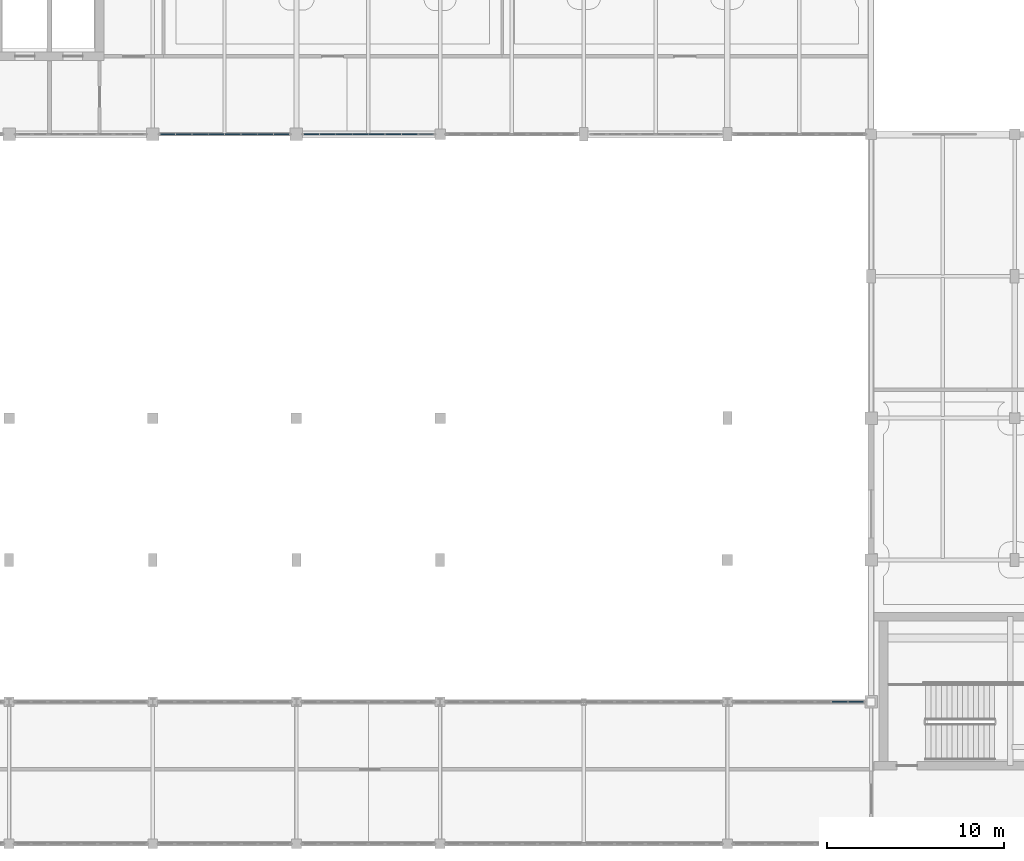
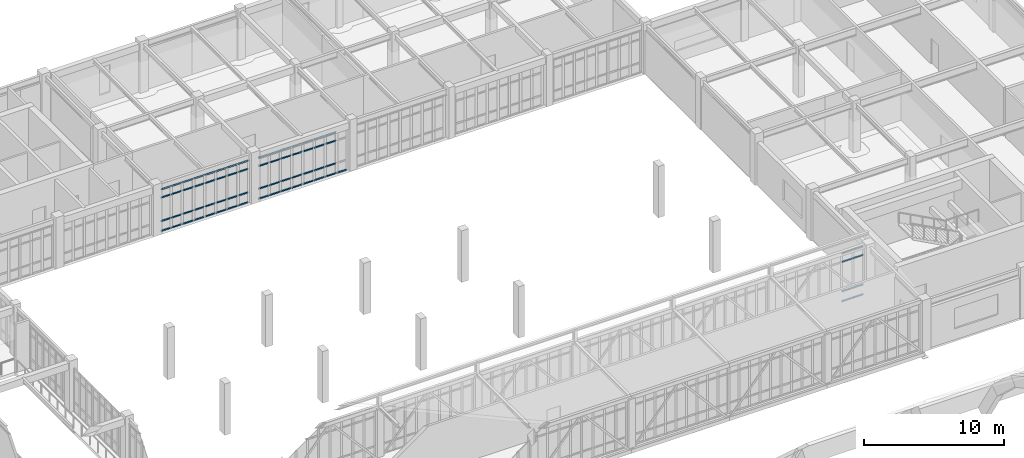
# One storey, part 31 of 67: 69 members, 3 elements without a shape of their own.
"""IFC4 building model written with IfcOpenShell, lengths in metres."""

from ifc_helpers import new_model, si_unit, direction, frame, origin, origin_2d, place, context, subcontext, project, spatial, rectangle, extrude, material, material_profile, profile_set, type_object, element, aggregate, save


model = new_model("IFC4")

# Units and contexts
model_context = context("Model", 3, precision=1e-05, world=origin(), true_north=direction((0.0, 1.0)))
body_context = subcontext(model_context, "Body", "Model", "MODEL_VIEW")
ifc_project = project(units=[si_unit("LENGTHUNIT", "METRE"), si_unit("AREAUNIT", "SQUARE_METRE"), si_unit("VOLUMEUNIT", "CUBIC_METRE"), si_unit("PLANEANGLEUNIT", "RADIAN"), si_unit("MASSUNIT", "GRAM", prefix="KILO")], contexts=[model_context])

# Site, building, storey
site_placement = place(None, origin())
site = spatial("IfcSite", under=ifc_project, at=site_placement, CompositionType="ELEMENT")
building_placement = place(site_placement, origin())
building = spatial("IfcBuilding", under=site, at=building_placement, Name="Tarnveldt Square Police Headquarters", CompositionType="ELEMENT")
storey_placement = place(building_placement, frame((0.0, 0.0, 10.199951171875)))
storey = spatial("IfcBuildingStorey", under=building, at=storey_placement, Name="L02", CompositionType="ELEMENT", Elevation=10.199951171875)

# Curtain wall, members
ifc_material_1 = material(Name="Triple-glazed low-e laminated vision glass", Category="glass")
curtain_wall_type_1 = type_object("IfcCurtainWallType", Name="CW-LB-737x370", PredefinedType="USERDEFINED", material=ifc_material_1)
curtain_wall_1_placement = place(storey_placement, origin())
curtain_wall_1 = element("IfcCurtainWall", 1, at=curtain_wall_1_placement, inside=storey, type_object=curtain_wall_type_1, Name="L02 Curtain Wall CW-L02-114", ObjectType="GLAZED CURTAIN WALL", PredefinedType="USERDEFINED")
ifc_material_2 = material(Name="Thermally broken anodised aluminium 6063-T6", Category="aluminium")
ifc_material_profile = material_profile(ifc_material_2, rectangle(XDim=0.06494140625, YDim=0.1201171875, at=origin_2d()), Name="CW-T65x120")
ifc_profile_set = profile_set([ifc_material_profile], Name="Thermally broken anodised aluminium 6063-T6")
member_type = type_object("IfcMemberType", Name="CWT-65x120", PredefinedType="USERDEFINED", material=ifc_profile_set)
member_1_placement = place(storey_placement, frame((65.239990234375, 96.0, 0.032470703125), z_axis=(1.0, 0.0, 0.0), x_axis=(0.0, 1.0, 0.0)))
member_1 = element("IfcMember", 2, at=member_1_placement, type_object=member_type, Name="CW-LB65 transom 1.1", ObjectType="TRANSOM", PredefinedType="USERDEFINED", context=body_context, shape_type="SweptSolid", body=[
    extrude(rectangle(XDim=0.06494140625, YDim=0.1201171875, at=origin_2d()), origin(), (0.0, 0.0, 1.0), 0.808837890625),
])
member_2_placement = place(storey_placement, frame((65.239990234375, 96.0, 0.900146484375), z_axis=(1.0, 0.0, 0.0), x_axis=(0.0, 1.0, 0.0)))
member_2 = element("IfcMember", 3, at=member_2_placement, type_object=member_type, Name="CW-LB65 transom 1.2", ObjectType="TRANSOM", PredefinedType="USERDEFINED", context=body_context, shape_type="SweptSolid", body=[
    extrude(rectangle(XDim=0.06494140625, YDim=0.1201171875, at=origin_2d()), origin(), (0.0, 0.0, 1.0), 0.808837890625),
])
member_3_placement = place(storey_placement, frame((65.239990234375, 96.0, 2.948974609375), z_axis=(1.0, 0.0, 0.0), x_axis=(0.0, 1.0, 0.0)))
member_3 = element("IfcMember", 4, at=member_3_placement, type_object=member_type, Name="CW-LB65 transom 1.3", ObjectType="TRANSOM", PredefinedType="USERDEFINED", context=body_context, shape_type="SweptSolid", body=[
    extrude(rectangle(XDim=0.06494140625, YDim=0.1201171875, at=origin_2d()), origin(), (0.0, 0.0, 1.0), 0.808837890625),
])
member_4_placement = place(storey_placement, frame((65.239990234375, 96.0, 3.66650390625), z_axis=(1.0, 0.0, 0.0), x_axis=(0.0, 1.0, 0.0)))
member_4 = element("IfcMember", 5, at=member_4_placement, type_object=member_type, Name="CW-LB65 transom 1.4", ObjectType="TRANSOM", PredefinedType="USERDEFINED", context=body_context, shape_type="SweptSolid", body=[
    extrude(rectangle(XDim=0.06494140625, YDim=0.1201171875, at=origin_2d()), origin(), (0.0, 0.0, 1.0), 0.808837890625),
])
member_5_placement = place(storey_placement, frame((66.123779296875, 96.0, 0.032470703125), z_axis=(1.0, 0.0, 0.0), x_axis=(0.0, 1.0, 0.0)))
member_5 = element("IfcMember", 6, at=member_5_placement, type_object=member_type, Name="CW-LB65 transom 2.1", ObjectType="TRANSOM", PredefinedType="USERDEFINED", context=body_context, shape_type="SweptSolid", body=[
    extrude(rectangle(XDim=0.06494140625, YDim=0.1201171875, at=origin_2d()), origin(), (0.0, 0.0, 1.0), 0.84619140625),
])
member_6_placement = place(storey_placement, frame((66.123779296875, 96.0, 0.900146484375), z_axis=(1.0, 0.0, 0.0), x_axis=(0.0, 1.0, 0.0)))
member_6 = element("IfcMember", 7, at=member_6_placement, type_object=member_type, Name="CW-LB65 transom 2.2", ObjectType="TRANSOM", PredefinedType="USERDEFINED", context=body_context, shape_type="SweptSolid", body=[
    extrude(rectangle(XDim=0.06494140625, YDim=0.1201171875, at=origin_2d()), origin(), (0.0, 0.0, 1.0), 0.84619140625),
])
member_7_placement = place(storey_placement, frame((66.123779296875, 96.0, 2.948974609375), z_axis=(1.0, 0.0, 0.0), x_axis=(0.0, 1.0, 0.0)))
member_7 = element("IfcMember", 8, at=member_7_placement, type_object=member_type, Name="CW-LB65 transom 2.3", ObjectType="TRANSOM", PredefinedType="USERDEFINED", context=body_context, shape_type="SweptSolid", body=[
    extrude(rectangle(XDim=0.06494140625, YDim=0.1201171875, at=origin_2d()), origin(), (0.0, 0.0, 1.0), 0.84619140625),
])
member_8_placement = place(storey_placement, frame((66.123779296875, 96.0, 3.66650390625), z_axis=(1.0, 0.0, 0.0), x_axis=(0.0, 1.0, 0.0)))
member_8 = element("IfcMember", 9, at=member_8_placement, type_object=member_type, Name="CW-LB65 transom 2.4", ObjectType="TRANSOM", PredefinedType="USERDEFINED", context=body_context, shape_type="SweptSolid", body=[
    extrude(rectangle(XDim=0.06494140625, YDim=0.1201171875, at=origin_2d()), origin(), (0.0, 0.0, 1.0), 0.84619140625),
])
member_9_placement = place(storey_placement, frame((67.044921875, 96.0, 0.032470703125), z_axis=(1.0, 0.0, 0.0), x_axis=(0.0, 1.0, 0.0)))
member_9 = element("IfcMember", 10, at=member_9_placement, type_object=member_type, Name="CW-LB65 transom 3.1", ObjectType="TRANSOM", PredefinedType="USERDEFINED", context=body_context, shape_type="SweptSolid", body=[
    extrude(rectangle(XDim=0.06494140625, YDim=0.1201171875, at=origin_2d()), origin(), (0.0, 0.0, 1.0), 0.846435546875),
])
member_10_placement = place(storey_placement, frame((67.044921875, 96.0, 0.900146484375), z_axis=(1.0, 0.0, 0.0), x_axis=(0.0, 1.0, 0.0)))
member_10 = element("IfcMember", 11, at=member_10_placement, type_object=member_type, Name="CW-LB65 transom 3.2", ObjectType="TRANSOM", PredefinedType="USERDEFINED", context=body_context, shape_type="SweptSolid", body=[
    extrude(rectangle(XDim=0.06494140625, YDim=0.1201171875, at=origin_2d()), origin(), (0.0, 0.0, 1.0), 0.846435546875),
])
member_11_placement = place(storey_placement, frame((67.044921875, 96.0, 2.948974609375), z_axis=(1.0, 0.0, 0.0), x_axis=(0.0, 1.0, 0.0)))
member_11 = element("IfcMember", 12, at=member_11_placement, type_object=member_type, Name="CW-LB65 transom 3.3", ObjectType="TRANSOM", PredefinedType="USERDEFINED", context=body_context, shape_type="SweptSolid", body=[
    extrude(rectangle(XDim=0.06494140625, YDim=0.1201171875, at=origin_2d()), origin(), (0.0, 0.0, 1.0), 0.846435546875),
])
member_12_placement = place(storey_placement, frame((67.044921875, 96.0, 3.66650390625), z_axis=(1.0, 0.0, 0.0), x_axis=(0.0, 1.0, 0.0)))
member_12 = element("IfcMember", 13, at=member_12_placement, type_object=member_type, Name="CW-LB65 transom 3.4", ObjectType="TRANSOM", PredefinedType="USERDEFINED", context=body_context, shape_type="SweptSolid", body=[
    extrude(rectangle(XDim=0.06494140625, YDim=0.1201171875, at=origin_2d()), origin(), (0.0, 0.0, 1.0), 0.846435546875),
])
member_13_placement = place(storey_placement, frame((67.96630859375, 96.0, 0.032470703125), z_axis=(1.0, 0.0, 0.0), x_axis=(0.0, 1.0, 0.0)))
member_13 = element("IfcMember", 14, at=member_13_placement, type_object=member_type, Name="CW-LB65 transom 4.1", ObjectType="TRANSOM", PredefinedType="USERDEFINED", context=body_context, shape_type="SweptSolid", body=[
    extrude(rectangle(XDim=0.06494140625, YDim=0.1201171875, at=origin_2d()), origin(), (0.0, 0.0, 1.0), 0.84619140625),
])
member_14_placement = place(storey_placement, frame((67.96630859375, 96.0, 0.900146484375), z_axis=(1.0, 0.0, 0.0), x_axis=(0.0, 1.0, 0.0)))
member_14 = element("IfcMember", 15, at=member_14_placement, type_object=member_type, Name="CW-LB65 transom 4.2", ObjectType="TRANSOM", PredefinedType="USERDEFINED", context=body_context, shape_type="SweptSolid", body=[
    extrude(rectangle(XDim=0.06494140625, YDim=0.1201171875, at=origin_2d()), origin(), (0.0, 0.0, 1.0), 0.84619140625),
])
member_15_placement = place(storey_placement, frame((67.96630859375, 96.0, 2.948974609375), z_axis=(1.0, 0.0, 0.0), x_axis=(0.0, 1.0, 0.0)))
member_15 = element("IfcMember", 16, at=member_15_placement, type_object=member_type, Name="CW-LB65 transom 4.3", ObjectType="TRANSOM", PredefinedType="USERDEFINED", context=body_context, shape_type="SweptSolid", body=[
    extrude(rectangle(XDim=0.06494140625, YDim=0.1201171875, at=origin_2d()), origin(), (0.0, 0.0, 1.0), 0.84619140625),
])
member_16_placement = place(storey_placement, frame((67.96630859375, 96.0, 3.66650390625), z_axis=(1.0, 0.0, 0.0), x_axis=(0.0, 1.0, 0.0)))
member_16 = element("IfcMember", 17, at=member_16_placement, type_object=member_type, Name="CW-LB65 transom 4.4", ObjectType="TRANSOM", PredefinedType="USERDEFINED", context=body_context, shape_type="SweptSolid", body=[
    extrude(rectangle(XDim=0.06494140625, YDim=0.1201171875, at=origin_2d()), origin(), (0.0, 0.0, 1.0), 0.84619140625),
])
member_17_placement = place(storey_placement, frame((68.887451171875, 96.0, 0.032470703125), z_axis=(1.0, 0.0, 0.0), x_axis=(0.0, 1.0, 0.0)))
member_17 = element("IfcMember", 18, at=member_17_placement, type_object=member_type, Name="CW-LB65 transom 5.1", ObjectType="TRANSOM", PredefinedType="USERDEFINED", context=body_context, shape_type="SweptSolid", body=[
    extrude(rectangle(XDim=0.06494140625, YDim=0.1201171875, at=origin_2d()), origin(), (0.0, 0.0, 1.0), 0.84619140625),
])
member_18_placement = place(storey_placement, frame((68.887451171875, 96.0, 0.900146484375), z_axis=(1.0, 0.0, 0.0), x_axis=(0.0, 1.0, 0.0)))
member_18 = element("IfcMember", 19, at=member_18_placement, type_object=member_type, Name="CW-LB65 transom 5.2", ObjectType="TRANSOM", PredefinedType="USERDEFINED", context=body_context, shape_type="SweptSolid", body=[
    extrude(rectangle(XDim=0.06494140625, YDim=0.1201171875, at=origin_2d()), origin(), (0.0, 0.0, 1.0), 0.84619140625),
])
member_19_placement = place(storey_placement, frame((68.887451171875, 96.0, 2.948974609375), z_axis=(1.0, 0.0, 0.0), x_axis=(0.0, 1.0, 0.0)))
member_19 = element("IfcMember", 20, at=member_19_placement, type_object=member_type, Name="CW-LB65 transom 5.3", ObjectType="TRANSOM", PredefinedType="USERDEFINED", context=body_context, shape_type="SweptSolid", body=[
    extrude(rectangle(XDim=0.06494140625, YDim=0.1201171875, at=origin_2d()), origin(), (0.0, 0.0, 1.0), 0.84619140625),
])
member_20_placement = place(storey_placement, frame((68.887451171875, 96.0, 3.66650390625), z_axis=(1.0, 0.0, 0.0), x_axis=(0.0, 1.0, 0.0)))
member_20 = element("IfcMember", 21, at=member_20_placement, type_object=member_type, Name="CW-LB65 transom 5.4", ObjectType="TRANSOM", PredefinedType="USERDEFINED", context=body_context, shape_type="SweptSolid", body=[
    extrude(rectangle(XDim=0.06494140625, YDim=0.1201171875, at=origin_2d()), origin(), (0.0, 0.0, 1.0), 0.84619140625),
])
member_21_placement = place(storey_placement, frame((69.808837890625, 96.0, 0.032470703125), z_axis=(1.0, 0.0, 0.0), x_axis=(0.0, 1.0, 0.0)))
member_21 = element("IfcMember", 22, at=member_21_placement, type_object=member_type, Name="CW-LB65 transom 6.1", ObjectType="TRANSOM", PredefinedType="USERDEFINED", context=body_context, shape_type="SweptSolid", body=[
    extrude(rectangle(XDim=0.06494140625, YDim=0.1201171875, at=origin_2d()), origin(), (0.0, 0.0, 1.0), 0.84619140625),
])
member_22_placement = place(storey_placement, frame((69.808837890625, 96.0, 0.900146484375), z_axis=(1.0, 0.0, 0.0), x_axis=(0.0, 1.0, 0.0)))
member_22 = element("IfcMember", 23, at=member_22_placement, type_object=member_type, Name="CW-LB65 transom 6.2", ObjectType="TRANSOM", PredefinedType="USERDEFINED", context=body_context, shape_type="SweptSolid", body=[
    extrude(rectangle(XDim=0.06494140625, YDim=0.1201171875, at=origin_2d()), origin(), (0.0, 0.0, 1.0), 0.84619140625),
])
member_23_placement = place(storey_placement, frame((69.808837890625, 96.0, 2.948974609375), z_axis=(1.0, 0.0, 0.0), x_axis=(0.0, 1.0, 0.0)))
member_23 = element("IfcMember", 24, at=member_23_placement, type_object=member_type, Name="CW-LB65 transom 6.3", ObjectType="TRANSOM", PredefinedType="USERDEFINED", context=body_context, shape_type="SweptSolid", body=[
    extrude(rectangle(XDim=0.06494140625, YDim=0.1201171875, at=origin_2d()), origin(), (0.0, 0.0, 1.0), 0.84619140625),
])
member_24_placement = place(storey_placement, frame((69.808837890625, 96.0, 3.66650390625), z_axis=(1.0, 0.0, 0.0), x_axis=(0.0, 1.0, 0.0)))
member_24 = element("IfcMember", 25, at=member_24_placement, type_object=member_type, Name="CW-LB65 transom 6.4", ObjectType="TRANSOM", PredefinedType="USERDEFINED", context=body_context, shape_type="SweptSolid", body=[
    extrude(rectangle(XDim=0.06494140625, YDim=0.1201171875, at=origin_2d()), origin(), (0.0, 0.0, 1.0), 0.84619140625),
])
member_25_placement = place(storey_placement, frame((70.72998046875, 96.0, 0.032470703125), z_axis=(1.0, 0.0, 0.0), x_axis=(0.0, 1.0, 0.0)))
member_25 = element("IfcMember", 26, at=member_25_placement, type_object=member_type, Name="CW-LB65 transom 7.1", ObjectType="TRANSOM", PredefinedType="USERDEFINED", context=body_context, shape_type="SweptSolid", body=[
    extrude(rectangle(XDim=0.06494140625, YDim=0.1201171875, at=origin_2d()), origin(), (0.0, 0.0, 1.0), 0.84619140625),
])
member_26_placement = place(storey_placement, frame((70.72998046875, 96.0, 0.900146484375), z_axis=(1.0, 0.0, 0.0), x_axis=(0.0, 1.0, 0.0)))
member_26 = element("IfcMember", 27, at=member_26_placement, type_object=member_type, Name="CW-LB65 transom 7.2", ObjectType="TRANSOM", PredefinedType="USERDEFINED", context=body_context, shape_type="SweptSolid", body=[
    extrude(rectangle(XDim=0.06494140625, YDim=0.1201171875, at=origin_2d()), origin(), (0.0, 0.0, 1.0), 0.84619140625),
])
member_27_placement = place(storey_placement, frame((70.72998046875, 96.0, 2.948974609375), z_axis=(1.0, 0.0, 0.0), x_axis=(0.0, 1.0, 0.0)))
member_27 = element("IfcMember", 28, at=member_27_placement, type_object=member_type, Name="CW-LB65 transom 7.3", ObjectType="TRANSOM", PredefinedType="USERDEFINED", context=body_context, shape_type="SweptSolid", body=[
    extrude(rectangle(XDim=0.06494140625, YDim=0.1201171875, at=origin_2d()), origin(), (0.0, 0.0, 1.0), 0.84619140625),
])
member_28_placement = place(storey_placement, frame((70.72998046875, 96.0, 3.66650390625), z_axis=(1.0, 0.0, 0.0), x_axis=(0.0, 1.0, 0.0)))
member_28 = element("IfcMember", 29, at=member_28_placement, type_object=member_type, Name="CW-LB65 transom 7.4", ObjectType="TRANSOM", PredefinedType="USERDEFINED", context=body_context, shape_type="SweptSolid", body=[
    extrude(rectangle(XDim=0.06494140625, YDim=0.1201171875, at=origin_2d()), origin(), (0.0, 0.0, 1.0), 0.84619140625),
])
member_29_placement = place(storey_placement, frame((71.6513671875, 96.0, 0.032470703125), z_axis=(1.0, 0.0, 0.0), x_axis=(0.0, 1.0, 0.0)))
member_29 = element("IfcMember", 30, at=member_29_placement, type_object=member_type, Name="CW-LB65 transom 8.1", ObjectType="TRANSOM", PredefinedType="USERDEFINED", context=body_context, shape_type="SweptSolid", body=[
    extrude(rectangle(XDim=0.06494140625, YDim=0.1201171875, at=origin_2d()), origin(), (0.0, 0.0, 1.0), 0.80859375),
])
member_30_placement = place(storey_placement, frame((71.6513671875, 96.0, 0.900146484375), z_axis=(1.0, 0.0, 0.0), x_axis=(0.0, 1.0, 0.0)))
member_30 = element("IfcMember", 31, at=member_30_placement, type_object=member_type, Name="CW-LB65 transom 8.2", ObjectType="TRANSOM", PredefinedType="USERDEFINED", context=body_context, shape_type="SweptSolid", body=[
    extrude(rectangle(XDim=0.06494140625, YDim=0.1201171875, at=origin_2d()), origin(), (0.0, 0.0, 1.0), 0.80859375),
])
member_31_placement = place(storey_placement, frame((71.6513671875, 96.0, 2.948974609375), z_axis=(1.0, 0.0, 0.0), x_axis=(0.0, 1.0, 0.0)))
member_31 = element("IfcMember", 32, at=member_31_placement, type_object=member_type, Name="CW-LB65 transom 8.3", ObjectType="TRANSOM", PredefinedType="USERDEFINED", context=body_context, shape_type="SweptSolid", body=[
    extrude(rectangle(XDim=0.06494140625, YDim=0.1201171875, at=origin_2d()), origin(), (0.0, 0.0, 1.0), 0.80859375),
])
member_32_placement = place(storey_placement, frame((71.6513671875, 96.0, 3.66650390625), z_axis=(1.0, 0.0, 0.0), x_axis=(0.0, 1.0, 0.0)))
member_32 = element("IfcMember", 33, at=member_32_placement, type_object=member_type, Name="CW-LB65 transom 8.4", ObjectType="TRANSOM", PredefinedType="USERDEFINED", context=body_context, shape_type="SweptSolid", body=[
    extrude(rectangle(XDim=0.06494140625, YDim=0.1201171875, at=origin_2d()), origin(), (0.0, 0.0, 1.0), 0.80859375),
])
aggregate(curtain_wall_1, [member_1, member_2, member_3, member_4, member_5, member_6, member_7, member_8, member_9, member_10, member_11, member_12, member_13, member_14, member_15, member_16, member_17, member_18, member_19, member_20, member_21, member_22, member_23, member_24, member_25, member_26, member_27, member_28, member_29, member_30, member_31, member_32])

curtain_wall_type_2 = type_object("IfcCurtainWallType", Name="CW-LB-742x363", PredefinedType="USERDEFINED", material=ifc_material_1)
curtain_wall_2_placement = place(storey_placement, origin())
curtain_wall_2 = element("IfcCurtainWall", 34, at=curtain_wall_2_placement, inside=storey, type_object=curtain_wall_type_2, Name="L02 Curtain Wall CW-L02-115", ObjectType="GLAZED CURTAIN WALL", PredefinedType="USERDEFINED")
member_33_placement = place(storey_placement, frame((73.340087890625, 96.0, 0.032470703125), z_axis=(1.0, 0.0, 0.0), x_axis=(0.0, 1.0, 0.0)))
member_33 = element("IfcMember", 35, at=member_33_placement, type_object=member_type, Name="CW-LB67 transom 1.1", ObjectType="TRANSOM", PredefinedType="USERDEFINED", context=body_context, shape_type="SweptSolid", body=[
    extrude(rectangle(XDim=0.06494140625, YDim=0.1201171875, at=origin_2d()), origin(), (0.0, 0.0, 1.0), 0.81494140625),
])
member_34_placement = place(storey_placement, frame((73.340087890625, 96.0, 0.900146484375), z_axis=(1.0, 0.0, 0.0), x_axis=(0.0, 1.0, 0.0)))
member_34 = element("IfcMember", 36, at=member_34_placement, type_object=member_type, Name="CW-LB67 transom 1.2", ObjectType="TRANSOM", PredefinedType="USERDEFINED", context=body_context, shape_type="SweptSolid", body=[
    extrude(rectangle(XDim=0.06494140625, YDim=0.1201171875, at=origin_2d()), origin(), (0.0, 0.0, 1.0), 0.81494140625),
])
member_35_placement = place(storey_placement, frame((73.340087890625, 96.0, 2.882080078125), z_axis=(1.0, 0.0, 0.0), x_axis=(0.0, 1.0, 0.0)))
member_35 = element("IfcMember", 37, at=member_35_placement, type_object=member_type, Name="CW-LB67 transom 1.3", ObjectType="TRANSOM", PredefinedType="USERDEFINED", context=body_context, shape_type="SweptSolid", body=[
    extrude(rectangle(XDim=0.06494140625, YDim=0.1201171875, at=origin_2d()), origin(), (0.0, 0.0, 1.0), 0.81494140625),
])
member_36_placement = place(storey_placement, frame((73.340087890625, 96.0, 3.599609375), z_axis=(1.0, 0.0, 0.0), x_axis=(0.0, 1.0, 0.0)))
member_36 = element("IfcMember", 38, at=member_36_placement, type_object=member_type, Name="CW-LB67 transom 1.4", ObjectType="TRANSOM", PredefinedType="USERDEFINED", context=body_context, shape_type="SweptSolid", body=[
    extrude(rectangle(XDim=0.06494140625, YDim=0.1201171875, at=origin_2d()), origin(), (0.0, 0.0, 1.0), 0.81494140625),
])
member_37_placement = place(storey_placement, frame((74.22998046875, 96.0, 0.032470703125), z_axis=(1.0, 0.0, 0.0), x_axis=(0.0, 1.0, 0.0)))
member_37 = element("IfcMember", 39, at=member_37_placement, type_object=member_type, Name="CW-LB67 transom 2.1", ObjectType="TRANSOM", PredefinedType="USERDEFINED", context=body_context, shape_type="SweptSolid", body=[
    extrude(rectangle(XDim=0.06494140625, YDim=0.1201171875, at=origin_2d()), origin(), (0.0, 0.0, 1.0), 0.8525390625),
])
member_38_placement = place(storey_placement, frame((74.22998046875, 96.0, 0.900146484375), z_axis=(1.0, 0.0, 0.0), x_axis=(0.0, 1.0, 0.0)))
member_38 = element("IfcMember", 40, at=member_38_placement, type_object=member_type, Name="CW-LB67 transom 2.2", ObjectType="TRANSOM", PredefinedType="USERDEFINED", context=body_context, shape_type="SweptSolid", body=[
    extrude(rectangle(XDim=0.06494140625, YDim=0.1201171875, at=origin_2d()), origin(), (0.0, 0.0, 1.0), 0.8525390625),
])
member_39_placement = place(storey_placement, frame((74.22998046875, 96.0, 2.882080078125), z_axis=(1.0, 0.0, 0.0), x_axis=(0.0, 1.0, 0.0)))
member_39 = element("IfcMember", 41, at=member_39_placement, type_object=member_type, Name="CW-LB67 transom 2.3", ObjectType="TRANSOM", PredefinedType="USERDEFINED", context=body_context, shape_type="SweptSolid", body=[
    extrude(rectangle(XDim=0.06494140625, YDim=0.1201171875, at=origin_2d()), origin(), (0.0, 0.0, 1.0), 0.8525390625),
])
member_40_placement = place(storey_placement, frame((74.22998046875, 96.0, 3.599609375), z_axis=(1.0, 0.0, 0.0), x_axis=(0.0, 1.0, 0.0)))
member_40 = element("IfcMember", 42, at=member_40_placement, type_object=member_type, Name="CW-LB67 transom 2.4", ObjectType="TRANSOM", PredefinedType="USERDEFINED", context=body_context, shape_type="SweptSolid", body=[
    extrude(rectangle(XDim=0.06494140625, YDim=0.1201171875, at=origin_2d()), origin(), (0.0, 0.0, 1.0), 0.8525390625),
])
member_41_placement = place(storey_placement, frame((75.157470703125, 96.0, 0.032470703125), z_axis=(1.0, 0.0, 0.0), x_axis=(0.0, 1.0, 0.0)))
member_41 = element("IfcMember", 43, at=member_41_placement, type_object=member_type, Name="CW-LB67 transom 3.1", ObjectType="TRANSOM", PredefinedType="USERDEFINED", context=body_context, shape_type="SweptSolid", body=[
    extrude(rectangle(XDim=0.06494140625, YDim=0.1201171875, at=origin_2d()), origin(), (0.0, 0.0, 1.0), 0.8525390625),
])
member_42_placement = place(storey_placement, frame((75.157470703125, 96.0, 0.900146484375), z_axis=(1.0, 0.0, 0.0), x_axis=(0.0, 1.0, 0.0)))
member_42 = element("IfcMember", 44, at=member_42_placement, type_object=member_type, Name="CW-LB67 transom 3.2", ObjectType="TRANSOM", PredefinedType="USERDEFINED", context=body_context, shape_type="SweptSolid", body=[
    extrude(rectangle(XDim=0.06494140625, YDim=0.1201171875, at=origin_2d()), origin(), (0.0, 0.0, 1.0), 0.8525390625),
])
member_43_placement = place(storey_placement, frame((75.157470703125, 96.0, 2.882080078125), z_axis=(1.0, 0.0, 0.0), x_axis=(0.0, 1.0, 0.0)))
member_43 = element("IfcMember", 45, at=member_43_placement, type_object=member_type, Name="CW-LB67 transom 3.3", ObjectType="TRANSOM", PredefinedType="USERDEFINED", context=body_context, shape_type="SweptSolid", body=[
    extrude(rectangle(XDim=0.06494140625, YDim=0.1201171875, at=origin_2d()), origin(), (0.0, 0.0, 1.0), 0.8525390625),
])
member_44_placement = place(storey_placement, frame((75.157470703125, 96.0, 3.599609375), z_axis=(1.0, 0.0, 0.0), x_axis=(0.0, 1.0, 0.0)))
member_44 = element("IfcMember", 46, at=member_44_placement, type_object=member_type, Name="CW-LB67 transom 3.4", ObjectType="TRANSOM", PredefinedType="USERDEFINED", context=body_context, shape_type="SweptSolid", body=[
    extrude(rectangle(XDim=0.06494140625, YDim=0.1201171875, at=origin_2d()), origin(), (0.0, 0.0, 1.0), 0.8525390625),
])
member_45_placement = place(storey_placement, frame((76.0849609375, 96.0, 0.032470703125), z_axis=(1.0, 0.0, 0.0), x_axis=(0.0, 1.0, 0.0)))
member_45 = element("IfcMember", 47, at=member_45_placement, type_object=member_type, Name="CW-LB67 transom 4.1", ObjectType="TRANSOM", PredefinedType="USERDEFINED", context=body_context, shape_type="SweptSolid", body=[
    extrude(rectangle(XDim=0.06494140625, YDim=0.1201171875, at=origin_2d()), origin(), (0.0, 0.0, 1.0), 0.8525390625),
])
member_46_placement = place(storey_placement, frame((76.0849609375, 96.0, 0.900146484375), z_axis=(1.0, 0.0, 0.0), x_axis=(0.0, 1.0, 0.0)))
member_46 = element("IfcMember", 48, at=member_46_placement, type_object=member_type, Name="CW-LB67 transom 4.2", ObjectType="TRANSOM", PredefinedType="USERDEFINED", context=body_context, shape_type="SweptSolid", body=[
    extrude(rectangle(XDim=0.06494140625, YDim=0.1201171875, at=origin_2d()), origin(), (0.0, 0.0, 1.0), 0.8525390625),
])
member_47_placement = place(storey_placement, frame((76.0849609375, 96.0, 2.882080078125), z_axis=(1.0, 0.0, 0.0), x_axis=(0.0, 1.0, 0.0)))
member_47 = element("IfcMember", 49, at=member_47_placement, type_object=member_type, Name="CW-LB67 transom 4.3", ObjectType="TRANSOM", PredefinedType="USERDEFINED", context=body_context, shape_type="SweptSolid", body=[
    extrude(rectangle(XDim=0.06494140625, YDim=0.1201171875, at=origin_2d()), origin(), (0.0, 0.0, 1.0), 0.8525390625),
])
member_48_placement = place(storey_placement, frame((76.0849609375, 96.0, 3.599609375), z_axis=(1.0, 0.0, 0.0), x_axis=(0.0, 1.0, 0.0)))
member_48 = element("IfcMember", 50, at=member_48_placement, type_object=member_type, Name="CW-LB67 transom 4.4", ObjectType="TRANSOM", PredefinedType="USERDEFINED", context=body_context, shape_type="SweptSolid", body=[
    extrude(rectangle(XDim=0.06494140625, YDim=0.1201171875, at=origin_2d()), origin(), (0.0, 0.0, 1.0), 0.8525390625),
])
member_49_placement = place(storey_placement, frame((77.012451171875, 96.0, 0.032470703125), z_axis=(1.0, 0.0, 0.0), x_axis=(0.0, 1.0, 0.0)))
member_49 = element("IfcMember", 51, at=member_49_placement, type_object=member_type, Name="CW-LB67 transom 5.1", ObjectType="TRANSOM", PredefinedType="USERDEFINED", context=body_context, shape_type="SweptSolid", body=[
    extrude(rectangle(XDim=0.06494140625, YDim=0.1201171875, at=origin_2d()), origin(), (0.0, 0.0, 1.0), 0.8525390625),
])
member_50_placement = place(storey_placement, frame((77.012451171875, 96.0, 0.900146484375), z_axis=(1.0, 0.0, 0.0), x_axis=(0.0, 1.0, 0.0)))
member_50 = element("IfcMember", 52, at=member_50_placement, type_object=member_type, Name="CW-LB67 transom 5.2", ObjectType="TRANSOM", PredefinedType="USERDEFINED", context=body_context, shape_type="SweptSolid", body=[
    extrude(rectangle(XDim=0.06494140625, YDim=0.1201171875, at=origin_2d()), origin(), (0.0, 0.0, 1.0), 0.8525390625),
])
member_51_placement = place(storey_placement, frame((77.012451171875, 96.0, 2.882080078125), z_axis=(1.0, 0.0, 0.0), x_axis=(0.0, 1.0, 0.0)))
member_51 = element("IfcMember", 53, at=member_51_placement, type_object=member_type, Name="CW-LB67 transom 5.3", ObjectType="TRANSOM", PredefinedType="USERDEFINED", context=body_context, shape_type="SweptSolid", body=[
    extrude(rectangle(XDim=0.06494140625, YDim=0.1201171875, at=origin_2d()), origin(), (0.0, 0.0, 1.0), 0.8525390625),
])
member_52_placement = place(storey_placement, frame((77.012451171875, 96.0, 3.599609375), z_axis=(1.0, 0.0, 0.0), x_axis=(0.0, 1.0, 0.0)))
member_52 = element("IfcMember", 54, at=member_52_placement, type_object=member_type, Name="CW-LB67 transom 5.4", ObjectType="TRANSOM", PredefinedType="USERDEFINED", context=body_context, shape_type="SweptSolid", body=[
    extrude(rectangle(XDim=0.06494140625, YDim=0.1201171875, at=origin_2d()), origin(), (0.0, 0.0, 1.0), 0.8525390625),
])
member_53_placement = place(storey_placement, frame((77.93994140625, 96.0, 0.032470703125), z_axis=(1.0, 0.0, 0.0), x_axis=(0.0, 1.0, 0.0)))
member_53 = element("IfcMember", 55, at=member_53_placement, type_object=member_type, Name="CW-LB67 transom 6.1", ObjectType="TRANSOM", PredefinedType="USERDEFINED", context=body_context, shape_type="SweptSolid", body=[
    extrude(rectangle(XDim=0.06494140625, YDim=0.1201171875, at=origin_2d()), origin(), (0.0, 0.0, 1.0), 0.8525390625),
])
member_54_placement = place(storey_placement, frame((77.93994140625, 96.0, 0.900146484375), z_axis=(1.0, 0.0, 0.0), x_axis=(0.0, 1.0, 0.0)))
member_54 = element("IfcMember", 56, at=member_54_placement, type_object=member_type, Name="CW-LB67 transom 6.2", ObjectType="TRANSOM", PredefinedType="USERDEFINED", context=body_context, shape_type="SweptSolid", body=[
    extrude(rectangle(XDim=0.06494140625, YDim=0.1201171875, at=origin_2d()), origin(), (0.0, 0.0, 1.0), 0.8525390625),
])
member_55_placement = place(storey_placement, frame((77.93994140625, 96.0, 2.882080078125), z_axis=(1.0, 0.0, 0.0), x_axis=(0.0, 1.0, 0.0)))
member_55 = element("IfcMember", 57, at=member_55_placement, type_object=member_type, Name="CW-LB67 transom 6.3", ObjectType="TRANSOM", PredefinedType="USERDEFINED", context=body_context, shape_type="SweptSolid", body=[
    extrude(rectangle(XDim=0.06494140625, YDim=0.1201171875, at=origin_2d()), origin(), (0.0, 0.0, 1.0), 0.8525390625),
])
member_56_placement = place(storey_placement, frame((77.93994140625, 96.0, 3.599609375), z_axis=(1.0, 0.0, 0.0), x_axis=(0.0, 1.0, 0.0)))
member_56 = element("IfcMember", 58, at=member_56_placement, type_object=member_type, Name="CW-LB67 transom 6.4", ObjectType="TRANSOM", PredefinedType="USERDEFINED", context=body_context, shape_type="SweptSolid", body=[
    extrude(rectangle(XDim=0.06494140625, YDim=0.1201171875, at=origin_2d()), origin(), (0.0, 0.0, 1.0), 0.8525390625),
])
member_57_placement = place(storey_placement, frame((78.867431640625, 96.0, 0.032470703125), z_axis=(1.0, 0.0, 0.0), x_axis=(0.0, 1.0, 0.0)))
member_57 = element("IfcMember", 59, at=member_57_placement, type_object=member_type, Name="CW-LB67 transom 7.1", ObjectType="TRANSOM", PredefinedType="USERDEFINED", context=body_context, shape_type="SweptSolid", body=[
    extrude(rectangle(XDim=0.06494140625, YDim=0.1201171875, at=origin_2d()), origin(), (0.0, 0.0, 1.0), 0.8525390625),
])
member_58_placement = place(storey_placement, frame((78.867431640625, 96.0, 0.900146484375), z_axis=(1.0, 0.0, 0.0), x_axis=(0.0, 1.0, 0.0)))
member_58 = element("IfcMember", 60, at=member_58_placement, type_object=member_type, Name="CW-LB67 transom 7.2", ObjectType="TRANSOM", PredefinedType="USERDEFINED", context=body_context, shape_type="SweptSolid", body=[
    extrude(rectangle(XDim=0.06494140625, YDim=0.1201171875, at=origin_2d()), origin(), (0.0, 0.0, 1.0), 0.8525390625),
])
member_59_placement = place(storey_placement, frame((78.867431640625, 96.0, 2.882080078125), z_axis=(1.0, 0.0, 0.0), x_axis=(0.0, 1.0, 0.0)))
member_59 = element("IfcMember", 61, at=member_59_placement, type_object=member_type, Name="CW-LB67 transom 7.3", ObjectType="TRANSOM", PredefinedType="USERDEFINED", context=body_context, shape_type="SweptSolid", body=[
    extrude(rectangle(XDim=0.06494140625, YDim=0.1201171875, at=origin_2d()), origin(), (0.0, 0.0, 1.0), 0.8525390625),
])
member_60_placement = place(storey_placement, frame((78.867431640625, 96.0, 3.599609375), z_axis=(1.0, 0.0, 0.0), x_axis=(0.0, 1.0, 0.0)))
member_60 = element("IfcMember", 62, at=member_60_placement, type_object=member_type, Name="CW-LB67 transom 7.4", ObjectType="TRANSOM", PredefinedType="USERDEFINED", context=body_context, shape_type="SweptSolid", body=[
    extrude(rectangle(XDim=0.06494140625, YDim=0.1201171875, at=origin_2d()), origin(), (0.0, 0.0, 1.0), 0.8525390625),
])
member_61_placement = place(storey_placement, frame((79.794921875, 96.0, 0.032470703125), z_axis=(1.0, 0.0, 0.0), x_axis=(0.0, 1.0, 0.0)))
member_61 = element("IfcMember", 63, at=member_61_placement, type_object=member_type, Name="CW-LB67 transom 8.1", ObjectType="TRANSOM", PredefinedType="USERDEFINED", context=body_context, shape_type="SweptSolid", body=[
    extrude(rectangle(XDim=0.06494140625, YDim=0.1201171875, at=origin_2d()), origin(), (0.0, 0.0, 1.0), 0.815185546875),
])
aggregate(curtain_wall_2, [member_33, member_34, member_35, member_36, member_37, member_38, member_39, member_40, member_41, member_42, member_43, member_44, member_45, member_46, member_47, member_48, member_49, member_50, member_51, member_52, member_53, member_54, member_55, member_56, member_57, member_58, member_59, member_60, member_61])

curtain_wall_type_3 = type_object("IfcCurtainWallType", Name="CW-SB-745x424", PredefinedType="USERDEFINED", material=ifc_material_1)
curtain_wall_3_placement = place(storey_placement, origin())
curtain_wall_3 = element("IfcCurtainWall", 64, at=curtain_wall_3_placement, inside=storey, type_object=curtain_wall_type_3, Name="L02 Curtain Wall CW-L02-151", ObjectType="GLAZED CURTAIN WALL", PredefinedType="USERDEFINED")
member_62_placement = place(storey_placement, frame((103.106201171875, 64.0, 0.032470703125), z_axis=(1.0, 0.0, 0.0), x_axis=(0.0, 1.0, 0.0)))
member_62 = element("IfcMember", 65, at=member_62_placement, type_object=member_type, Name="CW-SB88 transom 7.1", ObjectType="TRANSOM", PredefinedType="USERDEFINED", context=body_context, shape_type="SweptSolid", body=[
    extrude(rectangle(XDim=0.06494140625, YDim=0.1201171875, at=origin_2d()), origin(), (0.0, 0.0, 1.0), 0.86572265625),
])
member_63_placement = place(storey_placement, frame((103.106201171875, 64.0, 0.900146484375), z_axis=(1.0, 0.0, 0.0), x_axis=(0.0, 1.0, 0.0)))
member_63 = element("IfcMember", 66, at=member_63_placement, type_object=member_type, Name="CW-SB88 transom 7.2", ObjectType="TRANSOM", PredefinedType="USERDEFINED", context=body_context, shape_type="SweptSolid", body=[
    extrude(rectangle(XDim=0.06494140625, YDim=0.1201171875, at=origin_2d()), origin(), (0.0, 0.0, 1.0), 0.86572265625),
])
member_64_placement = place(storey_placement, frame((103.106201171875, 64.0, 3.489990234375), z_axis=(1.0, 0.0, 0.0), x_axis=(0.0, 1.0, 0.0)))
member_64 = element("IfcMember", 67, at=member_64_placement, type_object=member_type, Name="CW-SB88 transom 7.3", ObjectType="TRANSOM", PredefinedType="USERDEFINED", context=body_context, shape_type="SweptSolid", body=[
    extrude(rectangle(XDim=0.06494140625, YDim=0.1201171875, at=origin_2d()), origin(), (0.0, 0.0, 1.0), 0.86572265625),
])
member_65_placement = place(storey_placement, frame((103.106201171875, 64.0, 4.20751953125), z_axis=(1.0, 0.0, 0.0), x_axis=(0.0, 1.0, 0.0)))
member_65 = element("IfcMember", 68, at=member_65_placement, type_object=member_type, Name="CW-SB88 transom 7.4", ObjectType="TRANSOM", PredefinedType="USERDEFINED", context=body_context, shape_type="SweptSolid", body=[
    extrude(rectangle(XDim=0.06494140625, YDim=0.1201171875, at=origin_2d()), origin(), (0.0, 0.0, 1.0), 0.86572265625),
])
member_66_placement = place(storey_placement, frame((104.036865234375, 64.0, 0.032470703125), z_axis=(1.0, 0.0, 0.0), x_axis=(0.0, 1.0, 0.0)))
member_66 = element("IfcMember", 69, at=member_66_placement, type_object=member_type, Name="CW-SB88 transom 8.1", ObjectType="TRANSOM", PredefinedType="USERDEFINED", context=body_context, shape_type="SweptSolid", body=[
    extrude(rectangle(XDim=0.06494140625, YDim=0.1201171875, at=origin_2d()), origin(), (0.0, 0.0, 1.0), 0.833251953125),
])
member_67_placement = place(storey_placement, frame((104.036865234375, 64.0, 0.900146484375), z_axis=(1.0, 0.0, 0.0), x_axis=(0.0, 1.0, 0.0)))
member_67 = element("IfcMember", 70, at=member_67_placement, type_object=member_type, Name="CW-SB88 transom 8.2", ObjectType="TRANSOM", PredefinedType="USERDEFINED", context=body_context, shape_type="SweptSolid", body=[
    extrude(rectangle(XDim=0.06494140625, YDim=0.1201171875, at=origin_2d()), origin(), (0.0, 0.0, 1.0), 0.833251953125),
])
member_68_placement = place(storey_placement, frame((104.036865234375, 64.0, 3.489990234375), z_axis=(1.0, 0.0, 0.0), x_axis=(0.0, 1.0, 0.0)))
member_68 = element("IfcMember", 71, at=member_68_placement, type_object=member_type, Name="CW-SB88 transom 8.3", ObjectType="TRANSOM", PredefinedType="USERDEFINED", context=body_context, shape_type="SweptSolid", body=[
    extrude(rectangle(XDim=0.06494140625, YDim=0.1201171875, at=origin_2d()), origin(), (0.0, 0.0, 1.0), 0.833251953125),
])
member_69_placement = place(storey_placement, frame((104.036865234375, 64.0, 4.20751953125), z_axis=(1.0, 0.0, 0.0), x_axis=(0.0, 1.0, 0.0)))
member_69 = element("IfcMember", 72, at=member_69_placement, type_object=member_type, Name="CW-SB88 transom 8.4", ObjectType="TRANSOM", PredefinedType="USERDEFINED", context=body_context, shape_type="SweptSolid", body=[
    extrude(rectangle(XDim=0.06494140625, YDim=0.1201171875, at=origin_2d()), origin(), (0.0, 0.0, 1.0), 0.833251953125),
])
aggregate(curtain_wall_3, [member_62, member_63, member_64, member_65, member_66, member_67, member_68, member_69])

save(model, "model.ifc")
